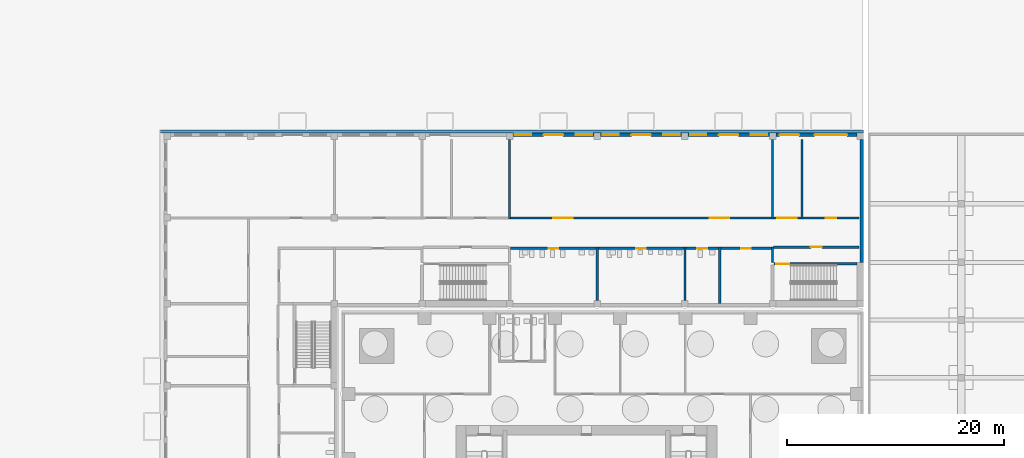
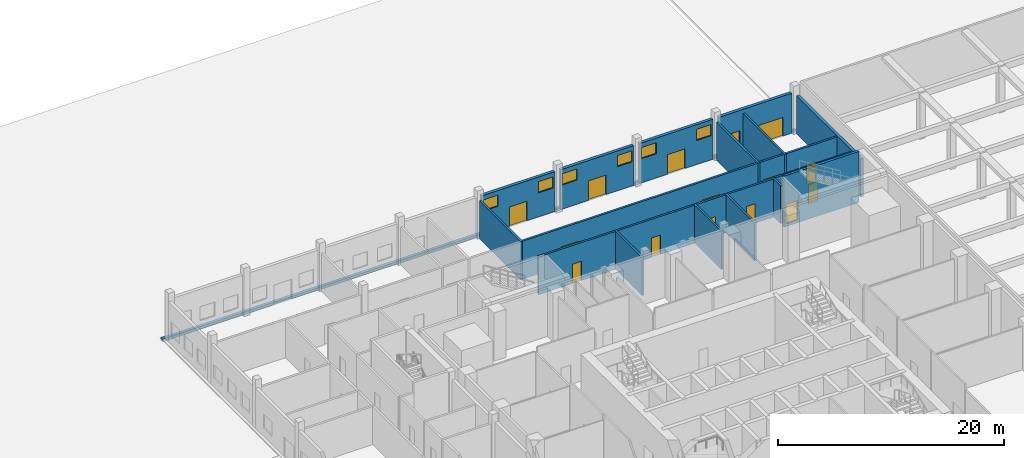
# One storey, part 20 of 33: 22 walls, 15 doors, 6 windows, 21 openings.
"""IFC4 building model written with IfcOpenShell, lengths in metres."""

from ifc_helpers import new_model, si_unit, direction, frame, frame_2d, origin, place, context, subcontext, project, spatial, rectangle, extrude, material, layer, layer_set, type_object, element, fill, save


model = new_model("IFC4")

# Units and contexts
model_context = context("Model", 3, precision=1e-05, world=origin(), true_north=direction((0.0, 1.0)))
body_context = subcontext(model_context, "Body", "Model", "MODEL_VIEW")
ifc_project = project(units=[si_unit("LENGTHUNIT", "METRE"), si_unit("AREAUNIT", "SQUARE_METRE"), si_unit("VOLUMEUNIT", "CUBIC_METRE"), si_unit("PLANEANGLEUNIT", "RADIAN"), si_unit("MASSUNIT", "GRAM", prefix="KILO")], contexts=[model_context])

# Site, building, storey
site_placement = place(None, origin())
site = spatial("IfcSite", under=ifc_project, at=site_placement, CompositionType="ELEMENT")
building_placement = place(site_placement, origin())
building = spatial("IfcBuilding", under=site, at=building_placement, Name="Amberfall Residences", CompositionType="ELEMENT")
storey_placement = place(building_placement, origin())
storey = spatial("IfcBuildingStorey", under=building, at=storey_placement, Name="L00", CompositionType="ELEMENT", Elevation=0.0)

# Wall, openings, door, windows
ifc_material_1 = material(Name="Aerated block wall")
ifc_layer_1 = layer(ifc_material_1, 0.300048828125)
ifc_layer_set_1 = layer_set([ifc_layer_1], Name="School external wall 300")
wall_type_1 = type_object("IfcWallType", Name="School external wall 300", PredefinedType="SOLIDWALL", material=ifc_layer_set_1)
wall_1_placement = place(storey_placement, frame((67.73291015625, 84.25, 0.0), z_axis=(0.0, 0.0, 1.0), x_axis=(1.0, 0.0, 0.0)))
wall_1 = element("IfcWall", 1, at=wall_1_placement, inside=storey, type_object=wall_type_1, Name="School external wall L00 EN4", PredefinedType="SOLIDWALL", context=body_context, shape_type="SweptSolid", body=[
    extrude(rectangle(XDim=7.467041015625, YDim=0.300048828125, at=frame_2d((3.7333984375, 0.0))), origin(), (0.0, 0.0, 1.0), 4.300048828125),
])
opening_1_placement = place(wall_1_placement, frame((2.83349609375, 0.0, 0.0)))
opening_1 = element("IfcOpeningElement", 2, at=opening_1_placement, cuts=wall_1, Name="Opening SD3", PredefinedType="OPENING", context=body_context, shape_type="SweptSolid", body=[
    extrude(rectangle(XDim=1.800048828125, YDim=2.10009765625, at=frame_2d((0.89990234375, 1.050048828125))), frame((0.0, 0.159912109375, 0.0), z_axis=(0.0, -1.0, 0.0), x_axis=(1.0, 0.0, 0.0)), (0.0, 0.0, 1.0), 0.320068359375),
])
opening_2_placement = place(wall_1_placement, frame((0.18359375, 0.0, 2.60009765625)))
opening_2 = element("IfcOpeningElement", 3, at=opening_2_placement, cuts=wall_1, Name="Opening SWN3", PredefinedType="OPENING", context=body_context, shape_type="SweptSolid", body=[
    extrude(rectangle(XDim=1.5, YDim=1.199951171875, at=frame_2d((0.75, 0.60009765625))), frame((0.0, 0.159912109375, 0.0), z_axis=(0.0, -1.0, 0.0), x_axis=(1.0, 0.0, 0.0)), (0.0, 0.0, 1.0), 0.320068359375),
])
opening_3_placement = place(wall_1_placement, frame((5.783447265625, 0.0, 2.60009765625)))
opening_3 = element("IfcOpeningElement", 4, at=opening_3_placement, cuts=wall_1, Name="Opening SWN3", PredefinedType="OPENING", context=body_context, shape_type="SweptSolid", body=[
    extrude(rectangle(XDim=1.5, YDim=1.199951171875, at=frame_2d((0.75, 0.60009765625))), frame((0.0, 0.159912109375, 0.0), z_axis=(0.0, -1.0, 0.0), x_axis=(1.0, 0.0, 0.0)), (0.0, 0.0, 1.0), 0.320068359375),
])
ifc_material_2 = material(Name="Timber door", Category="wood")
door_type_1 = type_object("IfcDoorType", Name="School double door 1800 x 2100", OperationType="DOUBLE_DOOR_SINGLE_SWING", PredefinedType="DOOR", material=ifc_material_2)
door_1_placement = place(opening_1_placement, origin())
door_1 = element("IfcDoor", 5, at=door_1_placement, inside=storey, type_object=door_type_1, Name="School door L00 EN4-1", OperationType="DOUBLE_DOOR_SINGLE_SWING", OverallHeight=2.10009765625, OverallWidth=1.800048828125, PredefinedType="DOOR", context=body_context, shape_type="SweptSolid", body=[
    extrude(rectangle(XDim=1.800048828125, YDim=2.10009765625, at=frame_2d((0.89990234375, 1.050048828125))), frame((0.0, 0.02490234375, 0.0), z_axis=(0.0, -1.0, 0.0), x_axis=(1.0, 0.0, 0.0)), (0.0, 0.0, 1.0), 0.050048828125),
])
fill(opening_1, door_1)
ifc_material_3 = material(Name="Aluminium window", Category="aluminium")
window_type = type_object("IfcWindowType", Name="School high window 1500 x 1200", PartitioningType="SINGLE_PANEL", PredefinedType="WINDOW", material=ifc_material_3)
window_1_placement = place(opening_2_placement, origin())
window_1 = element("IfcWindow", 6, at=window_1_placement, inside=storey, type_object=window_type, Name="School window L00 EN4-1", OverallHeight=1.199951171875, OverallWidth=1.5, PartitioningType="SINGLE_PANEL", PredefinedType="WINDOW", context=body_context, shape_type="SweptSolid", body=[
    extrude(rectangle(XDim=1.5, YDim=1.199951171875, at=frame_2d((0.75, 0.60009765625))), frame((0.0, 0.030029296875, 0.0), z_axis=(0.0, -1.0, 0.0), x_axis=(1.0, 0.0, 0.0)), (0.0, 0.0, 1.0), 0.06005859375),
])
fill(opening_2, window_1)
window_2_placement = place(opening_3_placement, origin())
window_2 = element("IfcWindow", 7, at=window_2_placement, inside=storey, type_object=window_type, Name="School window L00 EN4-2", OverallHeight=1.199951171875, OverallWidth=1.5, PartitioningType="SINGLE_PANEL", PredefinedType="WINDOW", context=body_context, shape_type="SweptSolid", body=[
    extrude(rectangle(XDim=1.5, YDim=1.199951171875, at=frame_2d((0.75, 0.60009765625))), frame((0.0, 0.030029296875, 0.0), z_axis=(0.0, -1.0, 0.0), x_axis=(1.0, 0.0, 0.0)), (0.0, 0.0, 1.0), 0.06005859375),
])
fill(opening_3, window_2)

wall_2_placement = place(storey_placement, frame((75.800048828125, 84.25, 0.0), z_axis=(0.0, 0.0, 1.0), x_axis=(1.0, 0.0, 0.0)))
wall_2 = element("IfcWall", 8, at=wall_2_placement, inside=storey, type_object=wall_type_1, Name="School external wall L00 EN5", PredefinedType="SOLIDWALL", context=body_context, shape_type="SweptSolid", body=[
    extrude(rectangle(XDim=7.467041015625, YDim=0.300048828125, at=frame_2d((3.7333984375, 0.0))), origin(), (0.0, 0.0, 1.0), 4.300048828125),
])
opening_4_placement = place(wall_2_placement, frame((2.83349609375, 0.0, 0.0)))
opening_4 = element("IfcOpeningElement", 9, at=opening_4_placement, cuts=wall_2, Name="Opening SD3", PredefinedType="OPENING", context=body_context, shape_type="SweptSolid", body=[
    extrude(rectangle(XDim=1.800048828125, YDim=2.10009765625, at=frame_2d((0.89990234375, 1.050048828125))), frame((0.0, 0.159912109375, 0.0), z_axis=(0.0, -1.0, 0.0), x_axis=(1.0, 0.0, 0.0)), (0.0, 0.0, 1.0), 0.320068359375),
])
opening_5_placement = place(wall_2_placement, frame((0.18359375, 0.0, 2.60009765625)))
opening_5 = element("IfcOpeningElement", 10, at=opening_5_placement, cuts=wall_2, Name="Opening SWN3", PredefinedType="OPENING", context=body_context, shape_type="SweptSolid", body=[
    extrude(rectangle(XDim=1.5, YDim=1.199951171875, at=frame_2d((0.75, 0.60009765625))), frame((0.0, 0.159912109375, 0.0), z_axis=(0.0, -1.0, 0.0), x_axis=(1.0, 0.0, 0.0)), (0.0, 0.0, 1.0), 0.320068359375),
])
opening_6_placement = place(wall_2_placement, frame((5.783447265625, 0.0, 2.60009765625)))
opening_6 = element("IfcOpeningElement", 11, at=opening_6_placement, cuts=wall_2, Name="Opening SWN3", PredefinedType="OPENING", context=body_context, shape_type="SweptSolid", body=[
    extrude(rectangle(XDim=1.5, YDim=1.199951171875, at=frame_2d((0.75, 0.60009765625))), frame((0.0, 0.159912109375, 0.0), z_axis=(0.0, -1.0, 0.0), x_axis=(1.0, 0.0, 0.0)), (0.0, 0.0, 1.0), 0.320068359375),
])
door_2_placement = place(opening_4_placement, origin())
door_2 = element("IfcDoor", 12, at=door_2_placement, inside=storey, type_object=door_type_1, Name="School door L00 EN5-1", OperationType="DOUBLE_DOOR_SINGLE_SWING", OverallHeight=2.10009765625, OverallWidth=1.800048828125, PredefinedType="DOOR", context=body_context, shape_type="SweptSolid", body=[
    extrude(rectangle(XDim=1.800048828125, YDim=2.10009765625, at=frame_2d((0.89990234375, 1.050048828125))), frame((0.0, 0.02490234375, 0.0), z_axis=(0.0, -1.0, 0.0), x_axis=(1.0, 0.0, 0.0)), (0.0, 0.0, 1.0), 0.050048828125),
])
fill(opening_4, door_2)
window_3_placement = place(opening_5_placement, origin())
window_3 = element("IfcWindow", 13, at=window_3_placement, inside=storey, type_object=window_type, Name="School window L00 EN5-1", OverallHeight=1.199951171875, OverallWidth=1.5, PartitioningType="SINGLE_PANEL", PredefinedType="WINDOW", context=body_context, shape_type="SweptSolid", body=[
    extrude(rectangle(XDim=1.5, YDim=1.199951171875, at=frame_2d((0.75, 0.60009765625))), frame((0.0, 0.030029296875, 0.0), z_axis=(0.0, -1.0, 0.0), x_axis=(1.0, 0.0, 0.0)), (0.0, 0.0, 1.0), 0.06005859375),
])
fill(opening_5, window_3)
window_4_placement = place(opening_6_placement, origin())
window_4 = element("IfcWindow", 14, at=window_4_placement, inside=storey, type_object=window_type, Name="School window L00 EN5-2", OverallHeight=1.199951171875, OverallWidth=1.5, PartitioningType="SINGLE_PANEL", PredefinedType="WINDOW", context=body_context, shape_type="SweptSolid", body=[
    extrude(rectangle(XDim=1.5, YDim=1.199951171875, at=frame_2d((0.75, 0.60009765625))), frame((0.0, 0.030029296875, 0.0), z_axis=(0.0, -1.0, 0.0), x_axis=(1.0, 0.0, 0.0)), (0.0, 0.0, 1.0), 0.06005859375),
])
fill(opening_6, window_4)

wall_3_placement = place(storey_placement, frame((83.866943359375, 84.25, 0.0), z_axis=(0.0, 0.0, 1.0), x_axis=(1.0, 0.0, 0.0)))
wall_3 = element("IfcWall", 15, at=wall_3_placement, inside=storey, type_object=wall_type_1, Name="School external wall L00 EN6", PredefinedType="SOLIDWALL", context=body_context, shape_type="SweptSolid", body=[
    extrude(rectangle(XDim=7.466064453125, YDim=0.300048828125, at=frame_2d((3.73291015625, 0.0))), origin(), (0.0, 0.0, 1.0), 4.300048828125),
])
opening_7_placement = place(wall_3_placement, frame((2.8330078125, 0.0, 0.0)))
opening_7 = element("IfcOpeningElement", 16, at=opening_7_placement, cuts=wall_3, Name="Opening SD3", PredefinedType="OPENING", context=body_context, shape_type="SweptSolid", body=[
    extrude(rectangle(XDim=1.800048828125, YDim=2.10009765625, at=frame_2d((0.89990234375, 1.050048828125))), frame((0.0, 0.159912109375, 0.0), z_axis=(0.0, -1.0, 0.0), x_axis=(1.0, 0.0, 0.0)), (0.0, 0.0, 1.0), 0.320068359375),
])
opening_8_placement = place(wall_3_placement, frame((0.18310546875, 0.0, 2.60009765625)))
opening_8 = element("IfcOpeningElement", 17, at=opening_8_placement, cuts=wall_3, Name="Opening SWN3", PredefinedType="OPENING", context=body_context, shape_type="SweptSolid", body=[
    extrude(rectangle(XDim=1.5, YDim=1.199951171875, at=frame_2d((0.75, 0.60009765625))), frame((0.0, 0.159912109375, 0.0), z_axis=(0.0, -1.0, 0.0), x_axis=(1.0, 0.0, 0.0)), (0.0, 0.0, 1.0), 0.320068359375),
])
opening_9_placement = place(wall_3_placement, frame((5.782958984375, 0.0, 2.60009765625)))
opening_9 = element("IfcOpeningElement", 18, at=opening_9_placement, cuts=wall_3, Name="Opening SWN3", PredefinedType="OPENING", context=body_context, shape_type="SweptSolid", body=[
    extrude(rectangle(XDim=1.5, YDim=1.199951171875, at=frame_2d((0.75, 0.60009765625))), frame((0.0, 0.159912109375, 0.0), z_axis=(0.0, -1.0, 0.0), x_axis=(1.0, 0.0, 0.0)), (0.0, 0.0, 1.0), 0.320068359375),
])
door_3_placement = place(opening_7_placement, origin())
door_3 = element("IfcDoor", 19, at=door_3_placement, inside=storey, type_object=door_type_1, Name="School door L00 EN6-1", OperationType="DOUBLE_DOOR_SINGLE_SWING", OverallHeight=2.10009765625, OverallWidth=1.800048828125, PredefinedType="DOOR", context=body_context, shape_type="SweptSolid", body=[
    extrude(rectangle(XDim=1.800048828125, YDim=2.10009765625, at=frame_2d((0.89990234375, 1.050048828125))), frame((0.0, 0.02490234375, 0.0), z_axis=(0.0, -1.0, 0.0), x_axis=(1.0, 0.0, 0.0)), (0.0, 0.0, 1.0), 0.050048828125),
])
fill(opening_7, door_3)
window_5_placement = place(opening_8_placement, origin())
window_5 = element("IfcWindow", 20, at=window_5_placement, inside=storey, type_object=window_type, Name="School window L00 EN6-1", OverallHeight=1.199951171875, OverallWidth=1.5, PartitioningType="SINGLE_PANEL", PredefinedType="WINDOW", context=body_context, shape_type="SweptSolid", body=[
    extrude(rectangle(XDim=1.5, YDim=1.199951171875, at=frame_2d((0.75, 0.60009765625))), frame((0.0, 0.030029296875, 0.0), z_axis=(0.0, -1.0, 0.0), x_axis=(1.0, 0.0, 0.0)), (0.0, 0.0, 1.0), 0.06005859375),
])
fill(opening_8, window_5)
window_6_placement = place(opening_9_placement, origin())
window_6 = element("IfcWindow", 21, at=window_6_placement, inside=storey, type_object=window_type, Name="School window L00 EN6-2", OverallHeight=1.199951171875, OverallWidth=1.5, PartitioningType="SINGLE_PANEL", PredefinedType="WINDOW", context=body_context, shape_type="SweptSolid", body=[
    extrude(rectangle(XDim=1.5, YDim=1.199951171875, at=frame_2d((0.75, 0.60009765625))), frame((0.0, 0.030029296875, 0.0), z_axis=(0.0, -1.0, 0.0), x_axis=(1.0, 0.0, 0.0)), (0.0, 0.0, 1.0), 0.06005859375),
])
fill(opening_9, window_6)

# Wall, openings, doors
wall_4_placement = place(storey_placement, frame((91.93310546875, 84.25, 0.0), z_axis=(0.0, 0.0, 1.0), x_axis=(1.0, 0.0, 0.0)))
wall_4 = element("IfcWall", 22, at=wall_4_placement, inside=storey, type_object=wall_type_1, Name="School external wall L00 EN7", PredefinedType="SOLIDWALL", context=body_context, shape_type="SweptSolid", body=[
    extrude(rectangle(XDim=7.466796875, YDim=0.300048828125, at=frame_2d((3.7333984375, 0.0))), origin(), (0.0, 0.0, 1.0), 4.300048828125),
])
opening_10_placement = place(wall_4_placement, frame((0.35009765625, 0.0, 0.0)))
opening_10 = element("IfcOpeningElement", 23, at=opening_10_placement, cuts=wall_4, Name="Opening SD3", PredefinedType="OPENING", context=body_context, shape_type="SweptSolid", body=[
    extrude(rectangle(XDim=1.800048828125, YDim=2.10009765625, at=frame_2d((0.89990234375, 1.050048828125))), frame((0.0, 0.159912109375, 0.0), z_axis=(0.0, -1.0, 0.0), x_axis=(1.0, 0.0, 0.0)), (0.0, 0.0, 1.0), 0.320068359375),
])
opening_11_placement = place(wall_4_placement, frame((3.56689453125, 0.0, 0.0)))
opening_11 = element("IfcOpeningElement", 24, at=opening_11_placement, cuts=wall_4, Name="Opening SD6", PredefinedType="OPENING", context=body_context, shape_type="SweptSolid", body=[
    extrude(rectangle(XDim=3.0, YDim=2.0, at=frame_2d((1.5, 1.0))), frame((0.0, 0.159912109375, 0.0), z_axis=(0.0, -1.0, 0.0), x_axis=(1.0, 0.0, 0.0)), (0.0, 0.0, 1.0), 0.320068359375),
])
door_4_placement = place(opening_10_placement, origin())
door_4 = element("IfcDoor", 25, at=door_4_placement, inside=storey, type_object=door_type_1, Name="School door L00 EN7-1", OperationType="DOUBLE_DOOR_SINGLE_SWING", OverallHeight=2.10009765625, OverallWidth=1.800048828125, PredefinedType="DOOR", context=body_context, shape_type="SweptSolid", body=[
    extrude(rectangle(XDim=1.800048828125, YDim=2.10009765625, at=frame_2d((0.89990234375, 1.050048828125))), frame((0.0, 0.02490234375, 0.0), z_axis=(0.0, -1.0, 0.0), x_axis=(1.0, 0.0, 0.0)), (0.0, 0.0, 1.0), 0.050048828125),
])
fill(opening_10, door_4)
ifc_material_4 = material(Name="Galvanised steel gate", Category="steel")
door_type_2 = type_object("IfcDoorType", Name="School yard gate 3000 x 2000", OperationType="DOUBLE_DOOR_SINGLE_SWING", PredefinedType="GATE", material=ifc_material_4)
door_5_placement = place(opening_11_placement, origin())
door_5 = element("IfcDoor", 26, at=door_5_placement, inside=storey, type_object=door_type_2, Name="School door L00 EN7-2", OperationType="DOUBLE_DOOR_SINGLE_SWING", OverallHeight=2.0, OverallWidth=3.0, PredefinedType="GATE", context=body_context, shape_type="SweptSolid", body=[
    extrude(rectangle(XDim=3.0, YDim=2.0, at=frame_2d((1.5, 1.0))), frame((0.0, 0.02490234375, 0.0), z_axis=(0.0, -1.0, 0.0), x_axis=(1.0, 0.0, 0.0)), (0.0, 0.0, 1.0), 0.050048828125),
])
fill(opening_11, door_5)

# Wall
wall_5_placement = place(storey_placement, frame((99.85009765625, 72.5, 0.0), z_axis=(0.0, 0.0, 1.0), x_axis=(0.0, 1.0, 0.0)))
element("IfcWall", 27, at=wall_5_placement, inside=storey, type_object=wall_type_1, Name="School external wall L00 EE", PredefinedType="SOLIDWALL", context=body_context, shape_type="SweptSolid", body=[
    extrude(rectangle(XDim=11.300048828125, YDim=0.300048828125, at=frame_2d((5.64990234375, 0.0))), origin(), (0.0, 0.0, 1.0), 4.10009765625),
])

# Wall, openings, doors
ifc_layer_2 = layer(ifc_material_1, 0.199951171875)
ifc_layer_set_2 = layer_set([ifc_layer_2], Name="School partition 200")
wall_type_2 = type_object("IfcWallType", Name="School partition 200", PredefinedType="PARTITIONING", material=ifc_layer_set_2)
wall_6_placement = place(storey_placement, frame((67.532958984375, 76.60009765625, 0.0), z_axis=(0.0, 0.0, 1.0), x_axis=(1.0, 0.0, 0.0)))
wall_6 = element("IfcWall", 28, at=wall_6_placement, inside=storey, type_object=wall_type_2, Name="School partition L00 CWN2", PredefinedType="PARTITIONING", context=body_context, shape_type="SweptSolid", body=[
    extrude(rectangle(XDim=24.0, YDim=0.199951171875, at=frame_2d((12.0, 0.0))), origin(), (0.0, 0.0, 1.0), 4.10009765625),
])
opening_12_placement = place(wall_6_placement, frame((3.89990234375, 0.0, 0.0)))
opening_12 = element("IfcOpeningElement", 29, at=opening_12_placement, cuts=wall_6, Name="Opening SD9", PredefinedType="OPENING", context=body_context, shape_type="SweptSolid", body=[
    extrude(rectangle(XDim=1.800048828125, YDim=2.10009765625, at=frame_2d((0.89990234375, 1.050048828125))), frame((0.0, 0.10986328125, 0.0), z_axis=(0.0, -1.0, 0.0), x_axis=(1.0, 0.0, 0.0)), (0.0, 0.0, 1.0), 0.219970703125),
])
opening_13_placement = place(wall_6_placement, frame((18.300048828125, 0.0, 0.0)))
opening_13 = element("IfcOpeningElement", 30, at=opening_13_placement, cuts=wall_6, Name="Opening SD9", PredefinedType="OPENING", context=body_context, shape_type="SweptSolid", body=[
    extrude(rectangle(XDim=1.800048828125, YDim=2.10009765625, at=frame_2d((0.89990234375, 1.050048828125))), frame((0.0, 0.10986328125, 0.0), z_axis=(0.0, -1.0, 0.0), x_axis=(1.0, 0.0, 0.0)), (0.0, 0.0, 1.0), 0.219970703125),
])
ifc_material_5 = material(Name="Timber fire door", Category="wood")
door_type_3 = type_object("IfcDoorType", Name="School fire double door 1800 x 2100", OperationType="DOUBLE_DOOR_SINGLE_SWING", PredefinedType="DOOR", material=ifc_material_5)
door_6_placement = place(opening_12_placement, origin())
door_6 = element("IfcDoor", 31, at=door_6_placement, inside=storey, type_object=door_type_3, Name="School door L00 CWN2-1", OperationType="DOUBLE_DOOR_SINGLE_SWING", OverallHeight=2.10009765625, OverallWidth=1.800048828125, PredefinedType="DOOR", context=body_context, shape_type="SweptSolid", body=[
    extrude(rectangle(XDim=1.800048828125, YDim=2.10009765625, at=frame_2d((0.89990234375, 1.050048828125))), frame((0.0, 0.02490234375, 0.0), z_axis=(0.0, -1.0, 0.0), x_axis=(1.0, 0.0, 0.0)), (0.0, 0.0, 1.0), 0.050048828125),
])
fill(opening_12, door_6)
door_7_placement = place(opening_13_placement, origin())
door_7 = element("IfcDoor", 32, at=door_7_placement, inside=storey, type_object=door_type_3, Name="School door L00 CWN2-2", OperationType="DOUBLE_DOOR_SINGLE_SWING", OverallHeight=2.10009765625, OverallWidth=1.800048828125, PredefinedType="DOOR", context=body_context, shape_type="SweptSolid", body=[
    extrude(rectangle(XDim=1.800048828125, YDim=2.10009765625, at=frame_2d((0.89990234375, 1.050048828125))), frame((0.0, 0.02490234375, 0.0), z_axis=(0.0, -1.0, 0.0), x_axis=(1.0, 0.0, 0.0)), (0.0, 0.0, 1.0), 0.050048828125),
])
fill(opening_13, door_7)

# Wall, opening, door
wall_7_placement = place(storey_placement, frame((94.43310546875, 76.60009765625, 0.0), z_axis=(0.0, 0.0, 1.0), x_axis=(1.0, 0.0, 0.0)))
wall_7 = element("IfcWall", 33, at=wall_7_placement, inside=storey, type_object=wall_type_2, Name="School partition L00 CWN594", PredefinedType="PARTITIONING", context=body_context, shape_type="SweptSolid", body=[
    extrude(rectangle(XDim=5.1669921875, YDim=0.199951171875, at=frame_2d((2.58349609375, 0.0))), origin(), (0.0, 0.0, 1.0), 4.10009765625),
])
opening_14_placement = place(wall_7_placement, frame((2.08349609375, 0.0, 0.0)))
opening_14 = element("IfcOpeningElement", 34, at=opening_14_placement, cuts=wall_7, Name="Opening SD5", PredefinedType="OPENING", context=body_context, shape_type="SweptSolid", body=[
    extrude(rectangle(XDim=1.0, YDim=2.10009765625, at=frame_2d((0.5, 1.050048828125))), frame((0.0, 0.10986328125, 0.0), z_axis=(0.0, -1.0, 0.0), x_axis=(1.0, 0.0, 0.0)), (0.0, 0.0, 1.0), 0.219970703125),
])
door_type_4 = type_object("IfcDoorType", Name="School classroom door 1000 x 2100", OperationType="SINGLE_SWING_LEFT", PredefinedType="DOOR", material=ifc_material_2)
door_8_placement = place(opening_14_placement, origin())
door_8 = element("IfcDoor", 35, at=door_8_placement, inside=storey, type_object=door_type_4, Name="School door L00 CWN594-1", OperationType="SINGLE_SWING_LEFT", OverallHeight=2.10009765625, OverallWidth=1.0, PredefinedType="DOOR", context=body_context, shape_type="SweptSolid", body=[
    extrude(rectangle(XDim=1.0, YDim=2.10009765625, at=frame_2d((0.5, 1.050048828125))), frame((0.0, 0.02490234375, 0.0), z_axis=(0.0, -1.0, 0.0), x_axis=(1.0, 0.0, 0.0)), (0.0, 0.0, 1.0), 0.050048828125),
])
fill(opening_14, door_8)

# Walls
for number, where, z_axis, x_axis, name in (
    (36, (67.43310546875, 76.5, 0.0), (0.0, 0.0, 1.0), (0.0, 1.0, 0.0), "School partition L00 PN6743"),
    (37, (91.633056640625, 76.5, 0.0), (0.0, 0.0, 1.0), (0.0, 1.0, 0.0), "School partition L00 PN9163"),
    (38, (94.3330078125, 76.5, 0.0), (0.0, 0.0, 1.0), (0.0, 1.0, 0.0), "School partition L00 PN9433"),
):
    element("IfcWall", number, at=place(storey_placement, frame(where, z_axis=z_axis, x_axis=x_axis)), inside=storey, type_object=wall_type_2, Name=name, PredefinedType="PARTITIONING", context=body_context, shape_type="SweptSolid", body=[
        extrude(rectangle(XDim=7.300048828125, YDim=0.199951171875, at=frame_2d((3.64990234375, 0.0))), origin(), (0.0, 0.0, 1.0), 4.10009765625),
    ])

# Wall, opening, door
wall_8_placement = place(storey_placement, frame((67.532958984375, 73.800048828125, 0.0), z_axis=(0.0, 0.0, 1.0), x_axis=(1.0, 0.0, 0.0)))
wall_8 = element("IfcWall", 39, at=wall_8_placement, inside=storey, type_object=wall_type_2, Name="School partition L00 CWS68", PredefinedType="PARTITIONING", context=body_context, shape_type="SweptSolid", body=[
    extrude(rectangle(XDim=7.866943359375, YDim=0.199951171875, at=frame_2d((3.93359375, 0.0))), origin(), (0.0, 0.0, 1.0), 4.10009765625),
])
opening_15_placement = place(wall_8_placement, frame((3.4833984375, 0.0, 0.0)))
opening_15 = element("IfcOpeningElement", 40, at=opening_15_placement, cuts=wall_8, Name="Opening SD2", PredefinedType="OPENING", context=body_context, shape_type="SweptSolid", body=[
    extrude(rectangle(XDim=0.89990234375, YDim=2.10009765625, at=frame_2d((0.449951171875, 1.050048828125))), frame((0.0, 0.10986328125, 0.0), z_axis=(0.0, -1.0, 0.0), x_axis=(1.0, 0.0, 0.0)), (0.0, 0.0, 1.0), 0.219970703125),
])
door_type_5 = type_object("IfcDoorType", Name="School WC door 900 x 2100", OperationType="SINGLE_SWING_LEFT", PredefinedType="DOOR", material=ifc_material_2)
door_9_placement = place(opening_15_placement, origin())
door_9 = element("IfcDoor", 41, at=door_9_placement, inside=storey, type_object=door_type_5, Name="School door L00 CWS68-1", OperationType="SINGLE_SWING_LEFT", OverallHeight=2.10009765625, OverallWidth=0.89990234375, PredefinedType="DOOR", context=body_context, shape_type="SweptSolid", body=[
    extrude(rectangle(XDim=0.89990234375, YDim=2.10009765625, at=frame_2d((0.449951171875, 1.050048828125))), frame((0.0, 0.02490234375, 0.0), z_axis=(0.0, -1.0, 0.0), x_axis=(1.0, 0.0, 0.0)), (0.0, 0.0, 1.0), 0.050048828125),
])
fill(opening_15, door_9)

wall_9_placement = place(storey_placement, frame((75.60009765625, 73.800048828125, 0.0), z_axis=(0.0, 0.0, 1.0), x_axis=(1.0, 0.0, 0.0)))
wall_9 = element("IfcWall", 42, at=wall_9_placement, inside=storey, type_object=wall_type_2, Name="School partition L00 CWS76", PredefinedType="PARTITIONING", context=body_context, shape_type="SweptSolid", body=[
    extrude(rectangle(XDim=7.866943359375, YDim=0.199951171875, at=frame_2d((3.93359375, 0.0))), origin(), (0.0, 0.0, 1.0), 4.10009765625),
])
opening_16_placement = place(wall_9_placement, frame((3.4833984375, 0.0, 0.0)))
opening_16 = element("IfcOpeningElement", 43, at=opening_16_placement, cuts=wall_9, Name="Opening SD2", PredefinedType="OPENING", context=body_context, shape_type="SweptSolid", body=[
    extrude(rectangle(XDim=0.89990234375, YDim=2.10009765625, at=frame_2d((0.449951171875, 1.050048828125))), frame((0.0, 0.10986328125, 0.0), z_axis=(0.0, -1.0, 0.0), x_axis=(1.0, 0.0, 0.0)), (0.0, 0.0, 1.0), 0.219970703125),
])
door_10_placement = place(opening_16_placement, origin())
door_10 = element("IfcDoor", 44, at=door_10_placement, inside=storey, type_object=door_type_5, Name="School door L00 CWS76-1", OperationType="SINGLE_SWING_LEFT", OverallHeight=2.10009765625, OverallWidth=0.89990234375, PredefinedType="DOOR", context=body_context, shape_type="SweptSolid", body=[
    extrude(rectangle(XDim=0.89990234375, YDim=2.10009765625, at=frame_2d((0.449951171875, 1.050048828125))), frame((0.0, 0.02490234375, 0.0), z_axis=(0.0, -1.0, 0.0), x_axis=(1.0, 0.0, 0.0)), (0.0, 0.0, 1.0), 0.050048828125),
])
fill(opening_16, door_10)

wall_10_placement = place(storey_placement, frame((83.6669921875, 73.800048828125, 0.0), z_axis=(0.0, 0.0, 1.0), x_axis=(1.0, 0.0, 0.0)))
wall_10 = element("IfcWall", 45, at=wall_10_placement, inside=storey, type_object=wall_type_2, Name="School partition L00 CWS84", PredefinedType="PARTITIONING", context=body_context, shape_type="SweptSolid", body=[
    extrude(rectangle(XDim=3.0, YDim=0.199951171875, at=frame_2d((1.5, 0.0))), origin(), (0.0, 0.0, 1.0), 4.10009765625),
])
opening_17_placement = place(wall_10_placement, frame((1.050048828125, 0.0, 0.0)))
opening_17 = element("IfcOpeningElement", 46, at=opening_17_placement, cuts=wall_10, Name="Opening SD2", PredefinedType="OPENING", context=body_context, shape_type="SweptSolid", body=[
    extrude(rectangle(XDim=0.89990234375, YDim=2.10009765625, at=frame_2d((0.449951171875, 1.050048828125))), frame((0.0, 0.10986328125, 0.0), z_axis=(0.0, -1.0, 0.0), x_axis=(1.0, 0.0, 0.0)), (0.0, 0.0, 1.0), 0.219970703125),
])
door_11_placement = place(opening_17_placement, origin())
door_11 = element("IfcDoor", 47, at=door_11_placement, inside=storey, type_object=door_type_5, Name="School door L00 CWS84-1", OperationType="SINGLE_SWING_LEFT", OverallHeight=2.10009765625, OverallWidth=0.89990234375, PredefinedType="DOOR", context=body_context, shape_type="SweptSolid", body=[
    extrude(rectangle(XDim=0.89990234375, YDim=2.10009765625, at=frame_2d((0.449951171875, 1.050048828125))), frame((0.0, 0.02490234375, 0.0), z_axis=(0.0, -1.0, 0.0), x_axis=(1.0, 0.0, 0.0)), (0.0, 0.0, 1.0), 0.050048828125),
])
fill(opening_17, door_11)

wall_11_placement = place(storey_placement, frame((86.866943359375, 73.800048828125, 0.0), z_axis=(0.0, 0.0, 1.0), x_axis=(1.0, 0.0, 0.0)))
wall_11 = element("IfcWall", 48, at=wall_11_placement, inside=storey, type_object=wall_type_2, Name="School partition L00 CWS87", PredefinedType="PARTITIONING", context=body_context, shape_type="SweptSolid", body=[
    extrude(rectangle(XDim=4.666015625, YDim=0.199951171875, at=frame_2d((2.3330078125, 0.0))), origin(), (0.0, 0.0, 1.0), 4.10009765625),
])
opening_18_placement = place(wall_11_placement, frame((1.883056640625, 0.0, 0.0)))
opening_18 = element("IfcOpeningElement", 49, at=opening_18_placement, cuts=wall_11, Name="Opening SD2", PredefinedType="OPENING", context=body_context, shape_type="SweptSolid", body=[
    extrude(rectangle(XDim=0.89990234375, YDim=2.10009765625, at=frame_2d((0.449951171875, 1.050048828125))), frame((0.0, 0.10986328125, 0.0), z_axis=(0.0, -1.0, 0.0), x_axis=(1.0, 0.0, 0.0)), (0.0, 0.0, 1.0), 0.219970703125),
])
door_12_placement = place(opening_18_placement, origin())
door_12 = element("IfcDoor", 50, at=door_12_placement, inside=storey, type_object=door_type_5, Name="School door L00 CWS87-1", OperationType="SINGLE_SWING_LEFT", OverallHeight=2.10009765625, OverallWidth=0.89990234375, PredefinedType="DOOR", context=body_context, shape_type="SweptSolid", body=[
    extrude(rectangle(XDim=0.89990234375, YDim=2.10009765625, at=frame_2d((0.449951171875, 1.050048828125))), frame((0.0, 0.02490234375, 0.0), z_axis=(0.0, -1.0, 0.0), x_axis=(1.0, 0.0, 0.0)), (0.0, 0.0, 1.0), 0.050048828125),
])
fill(opening_18, door_12)

# Walls
for number, where, z_axis, x_axis, name in (
    (51, (75.5, 69.0, 0.0), (0.0, 0.0, 1.0), (0.0, 1.0, 0.0), "School partition L00 PS3"),
    (52, (83.56689453125, 69.0, 0.0), (0.0, 0.0, 1.0), (0.0, 1.0, 0.0), "School partition L00 PS4"),
):
    element("IfcWall", number, at=place(storey_placement, frame(where, z_axis=z_axis, x_axis=x_axis)), inside=storey, type_object=wall_type_2, Name=name, PredefinedType="PARTITIONING", context=body_context, shape_type="SweptSolid", body=[
        extrude(rectangle(XDim=4.89990234375, YDim=0.199951171875, at=frame_2d((2.449951171875, 0.0))), origin(), (0.0, 0.0, 1.0), 4.10009765625),
    ])
wall_12_placement = place(storey_placement, frame((91.633056640625, 72.5, 0.0), z_axis=(0.0, 0.0, 1.0), x_axis=(0.0, 1.0, 0.0)))
element("IfcWall", 53, at=wall_12_placement, inside=storey, type_object=wall_type_2, Name="School partition L00 PSA5", PredefinedType="PARTITIONING", context=body_context, shape_type="SweptSolid", body=[
    extrude(rectangle(XDim=1.39990234375, YDim=0.199951171875, at=frame_2d((0.699951171875, 0.0))), origin(), (0.0, 0.0, 1.0), 4.10009765625),
])
wall_13_placement = place(storey_placement, frame((86.76708984375, 68.699951171875, 0.0), z_axis=(0.0, 0.0, 1.0), x_axis=(0.0, 1.0, 0.0)))
element("IfcWall", 54, at=wall_13_placement, inside=storey, type_object=wall_type_2, Name="School partition L00 PS4x", PredefinedType="PARTITIONING", context=body_context, shape_type="SweptSolid", body=[
    extrude(rectangle(XDim=5.199951171875, YDim=0.199951171875, at=frame_2d((2.60009765625, 0.0))), origin(), (0.0, 0.0, 1.0), 4.10009765625),
])

# Wall, opening, door
wall_14_placement = place(storey_placement, frame((91.73291015625, 73.89990234375, 0.0), z_axis=(0.0, 0.0, 1.0), x_axis=(1.0, 0.0, 0.0)))
wall_14 = element("IfcWall", 55, at=wall_14_placement, inside=storey, type_object=wall_type_2, Name="School partition L00 CWLSS5", PredefinedType="PARTITIONING", context=body_context, shape_type="SweptSolid", body=[
    extrude(rectangle(XDim=7.8671875, YDim=0.199951171875, at=frame_2d((3.93359375, 0.0))), origin(), (0.0, 0.0, 1.0), 4.10009765625),
])
opening_19_placement = place(wall_14_placement, frame((3.43359375, 0.0, 0.0)))
opening_19 = element("IfcOpeningElement", 56, at=opening_19_placement, cuts=wall_14, Name="Opening SD8", PredefinedType="OPENING", context=body_context, shape_type="SweptSolid", body=[
    extrude(rectangle(XDim=1.0, YDim=2.10009765625, at=frame_2d((0.5, 1.050048828125))), frame((0.0, 0.10986328125, 0.0), z_axis=(0.0, -1.0, 0.0), x_axis=(1.0, 0.0, 0.0)), (0.0, 0.0, 1.0), 0.219970703125),
])
door_type_6 = type_object("IfcDoorType", Name="School lobby door 1000 x 2100", OperationType="SINGLE_SWING_LEFT", PredefinedType="DOOR", material=ifc_material_2)
door_13_placement = place(opening_19_placement, origin())
door_13 = element("IfcDoor", 57, at=door_13_placement, inside=storey, type_object=door_type_6, Name="School door L00 CWLSS5-1", OperationType="SINGLE_SWING_LEFT", OverallHeight=2.10009765625, OverallWidth=1.0, PredefinedType="DOOR", context=body_context, shape_type="SweptSolid", body=[
    extrude(rectangle(XDim=1.0, YDim=2.10009765625, at=frame_2d((0.5, 1.050048828125))), frame((0.0, 0.02490234375, 0.0), z_axis=(0.0, -1.0, 0.0), x_axis=(1.0, 0.0, 0.0)), (0.0, 0.0, 1.0), 0.050048828125),
])
fill(opening_19, door_13)

wall_15_placement = place(storey_placement, frame((91.73291015625, 76.60009765625, 0.0), z_axis=(0.0, 0.0, 1.0), x_axis=(1.0, 0.0, 0.0)))
wall_15 = element("IfcWall", 58, at=wall_15_placement, inside=storey, type_object=wall_type_2, Name="School partition L00 CWQ5", PredefinedType="PARTITIONING", context=body_context, shape_type="SweptSolid", body=[
    extrude(rectangle(XDim=2.5, YDim=0.199951171875, at=frame_2d((1.25, 0.0))), origin(), (0.0, 0.0, 1.0), 4.10009765625),
])
opening_20_placement = place(wall_15_placement, frame((0.35009765625, 0.0, 0.0)))
opening_20 = element("IfcOpeningElement", 59, at=opening_20_placement, cuts=wall_15, Name="Opening SD9", PredefinedType="OPENING", context=body_context, shape_type="SweptSolid", body=[
    extrude(rectangle(XDim=1.800048828125, YDim=2.10009765625, at=frame_2d((0.89990234375, 1.050048828125))), frame((0.0, 0.10986328125, 0.0), z_axis=(0.0, -1.0, 0.0), x_axis=(1.0, 0.0, 0.0)), (0.0, 0.0, 1.0), 0.219970703125),
])
door_14_placement = place(opening_20_placement, origin())
door_14 = element("IfcDoor", 60, at=door_14_placement, inside=storey, type_object=door_type_3, Name="School door L00 CWQ5-1", OperationType="DOUBLE_DOOR_SINGLE_SWING", OverallHeight=2.10009765625, OverallWidth=1.800048828125, PredefinedType="DOOR", context=body_context, shape_type="SweptSolid", body=[
    extrude(rectangle(XDim=1.800048828125, YDim=2.10009765625, at=frame_2d((0.89990234375, 1.050048828125))), frame((0.0, 0.02490234375, 0.0), z_axis=(0.0, -1.0, 0.0), x_axis=(1.0, 0.0, 0.0)), (0.0, 0.0, 1.0), 0.050048828125),
])
fill(opening_20, door_14)

# Wall
ifc_material_6 = material(Name="Concrete C40", Category="concrete")
ifc_layer_3 = layer(ifc_material_6, 0.300048828125)
ifc_layer_set_3 = layer_set([ifc_layer_3], Name="School plinth wall 300")
wall_type_3 = type_object("IfcWallType", Name="School plinth wall 300", PredefinedType="SOLIDWALL", material=ifc_layer_set_3)
wall_16_placement = place(storey_placement, frame((35.300048828125, 84.550048828125, -0.300048828125), z_axis=(0.0, 0.0, 1.0), x_axis=(1.0, 0.0, 0.0)))
element("IfcWall", 61, at=wall_16_placement, inside=storey, type_object=wall_type_3, Name="School plinth wall", PredefinedType="SOLIDWALL", context=body_context, shape_type="SweptSolid", body=[
    extrude(rectangle(XDim=64.699951171875, YDim=0.300048828125, at=frame_2d((32.35009765625, 0.0))), origin(), (0.0, 0.0, 1.0), 0.300048828125),
])

# Wall, opening, door
ifc_material_7 = material(Name="Concrete C50", Category="concrete")
ifc_layer_4 = layer(ifc_material_7, 0.25)
ifc_layer_set_4 = layer_set([ifc_layer_4], Name="School stair core wall 250 C50")
wall_type_4 = type_object("IfcWallType", Name="School stair core wall 250 C50", PredefinedType="SHEAR", material=ifc_layer_set_4)
wall_17_placement = place(storey_placement, frame((91.758056640625, 72.375, -0.300048828125), z_axis=(0.0, 0.0, 1.0), x_axis=(1.0, 0.0, 0.0)))
wall_17 = element("IfcWall", 62, at=wall_17_placement, inside=storey, type_object=wall_type_4, Name="School core wall L00 SS5N", PredefinedType="SHEAR", context=body_context, shape_type="SweptSolid", body=[
    extrude(rectangle(XDim=7.641845703125, YDim=0.25, at=frame_2d((3.82080078125, 0.0))), origin(), (0.0, 0.0, 1.0), 5.5),
])
opening_21_placement = place(wall_17_placement, frame((0.199951171875, 0.0, 0.300048828125)))
opening_21 = element("IfcOpeningElement", 63, at=opening_21_placement, cuts=wall_17, Name="Opening SD4", PredefinedType="OPENING", context=body_context, shape_type="SweptSolid", body=[
    extrude(rectangle(XDim=1.199951171875, YDim=2.10009765625, at=frame_2d((0.60009765625, 1.050048828125))), frame((0.0, 0.135009765625, 0.0), z_axis=(0.0, -1.0, 0.0), x_axis=(1.0, 0.0, 0.0)), (0.0, 0.0, 1.0), 0.27001953125),
])
ifc_material_8 = material(Name="Steel fire door", Category="steel")
door_type_7 = type_object("IfcDoorType", Name="School stair door 1200 x 2100 FD120", OperationType="SINGLE_SWING_LEFT", PredefinedType="DOOR", material=ifc_material_8)
door_15_placement = place(opening_21_placement, origin())
door_15 = element("IfcDoor", 64, at=door_15_placement, inside=storey, type_object=door_type_7, Name="School stair door L00 SS5", OperationType="SINGLE_SWING_LEFT", OverallHeight=2.10009765625, OverallWidth=1.199951171875, PredefinedType="DOOR", context=body_context, shape_type="SweptSolid", body=[
    extrude(rectangle(XDim=1.199951171875, YDim=2.10009765625, at=frame_2d((0.60009765625, 1.050048828125))), frame((0.0, 0.02490234375, 0.0), z_axis=(0.0, -1.0, 0.0), x_axis=(1.0, 0.0, 0.0)), (0.0, 0.0, 1.0), 0.050048828125),
])
fill(opening_21, door_15)

save(model, "model.ifc")
